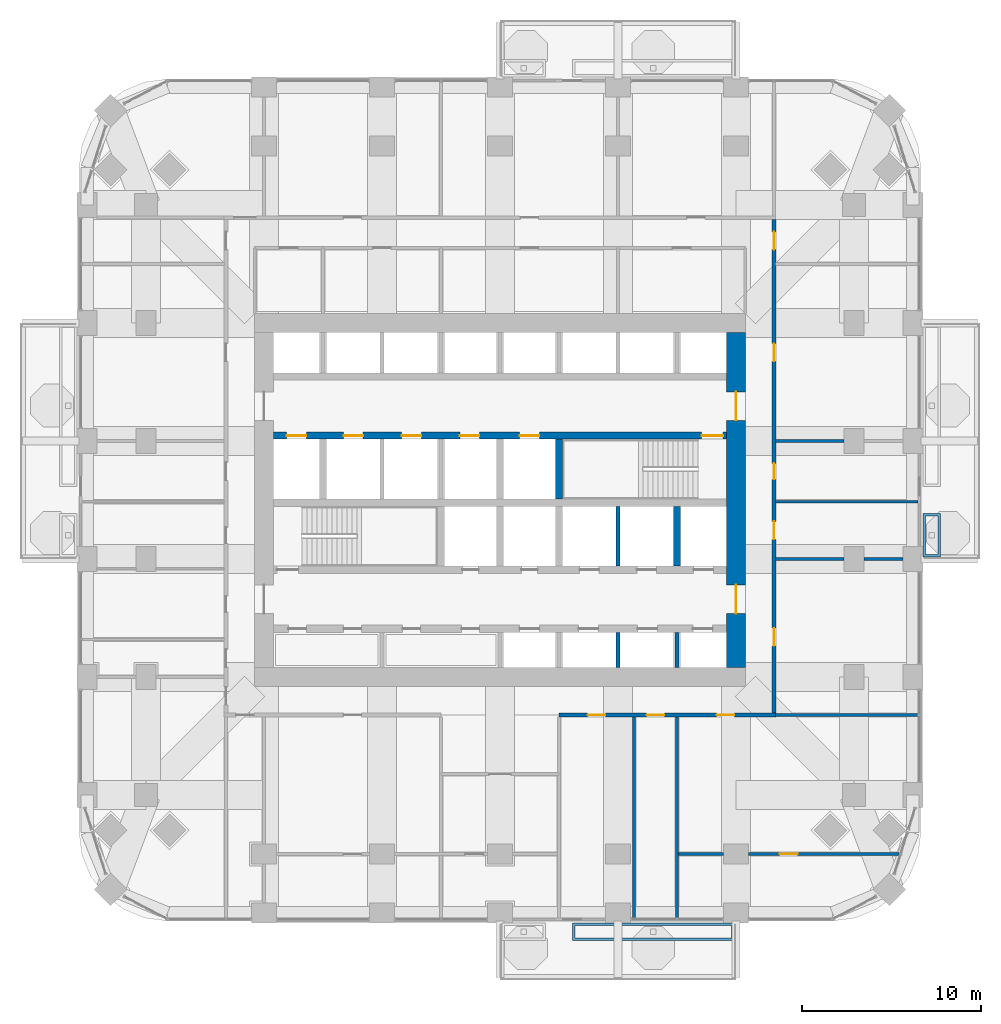
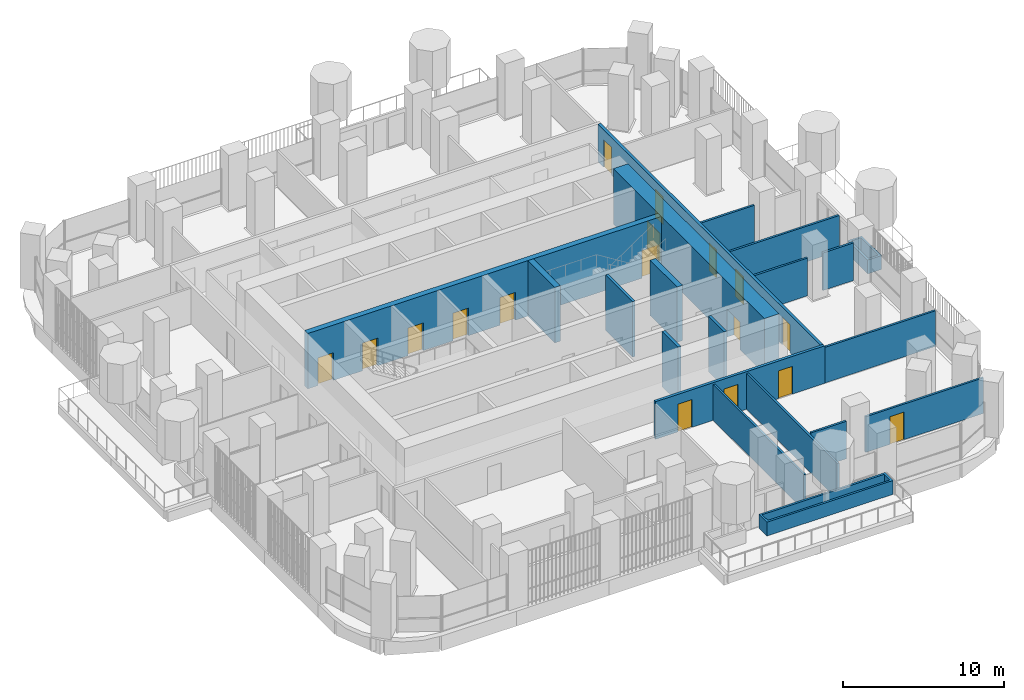
# One storey, part 16 of 23: 20 walls, 17 doors, 17 openings.
"""IFC4 building model written with IfcOpenShell, lengths in metres."""

from ifc_helpers import new_model, si_unit, direction, frame, frame_2d, origin, place, context, subcontext, project, spatial, polyline, rectangle, outline, extrude, material, layer, layer_set, type_object, element, fill, save


model = new_model("IFC4")

# Units and contexts
model_context = context("Model", 3, precision=1e-05, world=origin(), true_north=direction((0.0, 1.0)))
body_context = subcontext(model_context, "Body", "Model", "MODEL_VIEW")
ifc_project = project(units=[si_unit("LENGTHUNIT", "METRE"), si_unit("AREAUNIT", "SQUARE_METRE"), si_unit("VOLUMEUNIT", "CUBIC_METRE"), si_unit("PLANEANGLEUNIT", "RADIAN"), si_unit("MASSUNIT", "GRAM", prefix="KILO")], contexts=[model_context])

# Site, building, storey
site_placement = place(None, origin())
site = spatial("IfcSite", under=ifc_project, at=site_placement, CompositionType="ELEMENT")
building_placement = place(site_placement, origin())
building = spatial("IfcBuilding", under=site, at=building_placement, Name="Cobogo Forest Laboratory Tower", CompositionType="ELEMENT")
storey_placement = place(building_placement, frame((0.0, 0.0, 128.39990234375)))
storey = spatial("IfcBuildingStorey", under=building, at=storey_placement, Name="L29", CompositionType="ELEMENT", Elevation=128.39990234375)

# Wall, openings, doors
ifc_material_1 = material(Name="Concrete HA-50 (C50/60)", Category="concrete")
ifc_layer_1 = layer(ifc_material_1, 0.39990234375)
ifc_layer_set_1 = layer_set([ifc_layer_1], Name="CI400 core inner wall 400")
wall_type_1 = type_object("IfcWallType", Name="CI400 core inner wall 400", PredefinedType="SHEAR", material=ifc_layer_set_1)
wall_1_placement = place(storey_placement, frame((13.72509765625, 26.699951171875, 0.0), z_axis=(0.0, 0.0, 1.0), x_axis=(1.0, 0.0, 0.0)))
wall_1 = element("IfcWall", 1, at=wall_1_placement, inside=storey, type_object=wall_type_1, Name="Core wall CI-26.7 L29", PredefinedType="SHEAR", context=body_context, shape_type="SweptSolid", body=[
    extrude(rectangle(XDim=25.349853515625, YDim=0.39990234375, at=frame_2d((12.6748046875, 0.0))), origin(), (0.0, 0.0, 1.0), 4.2001953125),
])
opening_1_placement = place(wall_1_placement, frame((23.949951171875, 0.0, 0.0)))
opening_1 = element("IfcOpeningElement", 2, at=opening_1_placement, cuts=wall_1, Name="Opening L29-D30", PredefinedType="OPENING", context=body_context, shape_type="SweptSolid", body=[
    extrude(rectangle(XDim=1.199951171875, YDim=2.10009765625, at=frame_2d((0.60009765625, 1.050048828125))), frame((0.0, 0.2099609375, 0.0), z_axis=(0.0, -1.0, 0.0), x_axis=(1.0, 0.0, 0.0)), (0.0, 0.0, 1.0), 0.419921875),
])
opening_2_placement = place(wall_1_placement, frame((0.737548828125, 0.0, 0.0)))
opening_2 = element("IfcOpeningElement", 3, at=opening_2_placement, cuts=wall_1, Name="Opening L29-LD-FL1", PredefinedType="OPENING", context=body_context, shape_type="SweptSolid", body=[
    extrude(rectangle(XDim=1.10009765625, YDim=2.10009765625, at=frame_2d((0.550048828125, 1.050048828125))), frame((0.0, 0.2099609375, 0.0), z_axis=(0.0, -1.0, 0.0), x_axis=(1.0, 0.0, 0.0)), (0.0, 0.0, 1.0), 0.419921875),
])
opening_3_placement = place(wall_1_placement, frame((3.925048828125, 0.0, 0.0)))
opening_3 = element("IfcOpeningElement", 4, at=opening_3_placement, cuts=wall_1, Name="Opening L29-LD-LS3", PredefinedType="OPENING", context=body_context, shape_type="SweptSolid", body=[
    extrude(rectangle(XDim=1.10009765625, YDim=2.10009765625, at=frame_2d((0.550048828125, 1.050048828125))), frame((0.0, 0.2099609375, 0.0), z_axis=(0.0, -1.0, 0.0), x_axis=(1.0, 0.0, 0.0)), (0.0, 0.0, 1.0), 0.419921875),
])
opening_4_placement = place(wall_1_placement, frame((7.175048828125, 0.0, 0.0)))
opening_4 = element("IfcOpeningElement", 5, at=opening_4_placement, cuts=wall_1, Name="Opening L29-LD-LS4", PredefinedType="OPENING", context=body_context, shape_type="SweptSolid", body=[
    extrude(rectangle(XDim=1.10009765625, YDim=2.10009765625, at=frame_2d((0.550048828125, 1.050048828125))), frame((0.0, 0.2099609375, 0.0), z_axis=(0.0, -1.0, 0.0), x_axis=(1.0, 0.0, 0.0)), (0.0, 0.0, 1.0), 0.419921875),
])
opening_5_placement = place(wall_1_placement, frame((10.425048828125, 0.0, 0.0)))
opening_5 = element("IfcOpeningElement", 6, at=opening_5_placement, cuts=wall_1, Name="Opening L29-LD-LS5", PredefinedType="OPENING", context=body_context, shape_type="SweptSolid", body=[
    extrude(rectangle(XDim=1.10009765625, YDim=2.10009765625, at=frame_2d((0.550048828125, 1.050048828125))), frame((0.0, 0.2099609375, 0.0), z_axis=(0.0, -1.0, 0.0), x_axis=(1.0, 0.0, 0.0)), (0.0, 0.0, 1.0), 0.419921875),
])
opening_6_placement = place(wall_1_placement, frame((13.77490234375, 0.0, 0.0)))
opening_6 = element("IfcOpeningElement", 7, at=opening_6_placement, cuts=wall_1, Name="Opening L29-LD-LS6", PredefinedType="OPENING", context=body_context, shape_type="SweptSolid", body=[
    extrude(rectangle(XDim=1.10009765625, YDim=2.10009765625, at=frame_2d((0.550048828125, 1.050048828125))), frame((0.0, 0.2099609375, 0.0), z_axis=(0.0, -1.0, 0.0), x_axis=(1.0, 0.0, 0.0)), (0.0, 0.0, 1.0), 0.419921875),
])
ifc_material_2 = material(Name="Steel fire door", Category="steel")
door_type_1 = type_object("IfcDoorType", Name="DS1 protected stair door 1200 EI2 60", OperationType="SINGLE_SWING_LEFT", PredefinedType="DOOR", material=ifc_material_2)
door_1_placement = place(opening_1_placement, origin())
door_1 = element("IfcDoor", 8, at=door_1_placement, inside=storey, type_object=door_type_1, Name="Door L29-ST2", OperationType="SINGLE_SWING_RIGHT", OverallHeight=2.10009765625, OverallWidth=1.199951171875, PredefinedType="DOOR", context=body_context, shape_type="SweptSolid", body=[
    extrude(rectangle(XDim=1.199951171875, YDim=2.10009765625, at=frame_2d((0.60009765625, 1.050048828125))), frame((0.0, 0.02490234375, 0.0), z_axis=(0.0, -1.0, 0.0), x_axis=(1.0, 0.0, 0.0)), (0.0, 0.0, 1.0), 0.050048828125),
])
fill(opening_1, door_1)
ifc_material_3 = material(Name="Stainless steel lift door", Category="steel")
door_type_2 = type_object("IfcDoorType", Name="LD lift landing door 1100", OperationType="DOUBLE_DOOR_SLIDING", PredefinedType="DOOR", material=ifc_material_3)
door_2_placement = place(opening_2_placement, origin())
door_2 = element("IfcDoor", 9, at=door_2_placement, inside=storey, type_object=door_type_2, Name="Lift landing door FL1 L29", OperationType="DOUBLE_DOOR_SLIDING", OverallHeight=2.10009765625, OverallWidth=1.10009765625, PredefinedType="DOOR", context=body_context, shape_type="SweptSolid", body=[
    extrude(rectangle(XDim=1.10009765625, YDim=2.10009765625, at=frame_2d((0.550048828125, 1.050048828125))), frame((0.0, 0.02490234375, 0.0), z_axis=(0.0, -1.0, 0.0), x_axis=(1.0, 0.0, 0.0)), (0.0, 0.0, 1.0), 0.050048828125),
])
fill(opening_2, door_2)
door_3_placement = place(opening_3_placement, origin())
door_3 = element("IfcDoor", 10, at=door_3_placement, inside=storey, type_object=door_type_2, Name="Lift landing door LS3 L29", OperationType="DOUBLE_DOOR_SLIDING", OverallHeight=2.10009765625, OverallWidth=1.10009765625, PredefinedType="DOOR", context=body_context, shape_type="SweptSolid", body=[
    extrude(rectangle(XDim=1.10009765625, YDim=2.10009765625, at=frame_2d((0.550048828125, 1.050048828125))), frame((0.0, 0.02490234375, 0.0), z_axis=(0.0, -1.0, 0.0), x_axis=(1.0, 0.0, 0.0)), (0.0, 0.0, 1.0), 0.050048828125),
])
fill(opening_3, door_3)
door_4_placement = place(opening_4_placement, origin())
door_4 = element("IfcDoor", 11, at=door_4_placement, inside=storey, type_object=door_type_2, Name="Lift landing door LS4 L29", OperationType="DOUBLE_DOOR_SLIDING", OverallHeight=2.10009765625, OverallWidth=1.10009765625, PredefinedType="DOOR", context=body_context, shape_type="SweptSolid", body=[
    extrude(rectangle(XDim=1.10009765625, YDim=2.10009765625, at=frame_2d((0.550048828125, 1.050048828125))), frame((0.0, 0.02490234375, 0.0), z_axis=(0.0, -1.0, 0.0), x_axis=(1.0, 0.0, 0.0)), (0.0, 0.0, 1.0), 0.050048828125),
])
fill(opening_4, door_4)
door_5_placement = place(opening_5_placement, origin())
door_5 = element("IfcDoor", 12, at=door_5_placement, inside=storey, type_object=door_type_2, Name="Lift landing door LS5 L29", OperationType="DOUBLE_DOOR_SLIDING", OverallHeight=2.10009765625, OverallWidth=1.10009765625, PredefinedType="DOOR", context=body_context, shape_type="SweptSolid", body=[
    extrude(rectangle(XDim=1.10009765625, YDim=2.10009765625, at=frame_2d((0.550048828125, 1.050048828125))), frame((0.0, 0.02490234375, 0.0), z_axis=(0.0, -1.0, 0.0), x_axis=(1.0, 0.0, 0.0)), (0.0, 0.0, 1.0), 0.050048828125),
])
fill(opening_5, door_5)
door_6_placement = place(opening_6_placement, origin())
door_6 = element("IfcDoor", 13, at=door_6_placement, inside=storey, type_object=door_type_2, Name="Lift landing door LS6 L29", OperationType="DOUBLE_DOOR_SLIDING", OverallHeight=2.10009765625, OverallWidth=1.10009765625, PredefinedType="DOOR", context=body_context, shape_type="SweptSolid", body=[
    extrude(rectangle(XDim=1.10009765625, YDim=2.10009765625, at=frame_2d((0.550048828125, 1.050048828125))), frame((0.0, 0.02490234375, 0.0), z_axis=(0.0, -1.0, 0.0), x_axis=(1.0, 0.0, 0.0)), (0.0, 0.0, 1.0), 0.050048828125),
])
fill(opening_6, door_6)

# Walls
for number, where, z_axis, x_axis, name in (
    (14, (36.300048828125, 19.39990234375, 0.0), (0.0, 0.0, 1.0), (0.0, 1.0, 0.0), "Core wall CX-36.3 L29"),
    (15, (29.699951171875, 23.14990234375, 0.0), (0.0, 0.0, 1.0), (0.0, 1.0, 0.0), "Core wall CX-29.7N L29"),
):
    element("IfcWall", number, at=place(storey_placement, frame(where, z_axis=z_axis, x_axis=x_axis)), inside=storey, type_object=wall_type_1, Name=name, PredefinedType="SHEAR", context=body_context, shape_type="SweptSolid", body=[
        extrude(rectangle(XDim=3.35009765625, YDim=0.39990234375, at=frame_2d((1.675048828125, 0.0))), origin(), (0.0, 0.0, 1.0), 4.2001953125),
    ])

# Wall, openings, doors
ifc_layer_2 = layer(ifc_material_1, 1.050048828125)
ifc_layer_set_2 = layer_set([ifc_layer_2], Name="CW1050 core outer wall 1050")
wall_type_2 = type_object("IfcWallType", Name="CW1050 core outer wall 1050", PredefinedType="SHEAR", material=ifc_layer_set_2)
wall_2_placement = place(storey_placement, frame((39.60009765625, 13.72509765625, 0.0), z_axis=(0.0, 0.0, 1.0), x_axis=(0.0, 1.0, 0.0)))
wall_2 = element("IfcWall", 16, at=wall_2_placement, inside=storey, type_object=wall_type_2, Name="Core wall CO-E L29", PredefinedType="SHEAR", context=body_context, shape_type="SweptSolid", body=[
    extrude(rectangle(XDim=18.75, YDim=1.050048828125, at=frame_2d((9.375, 0.0))), origin(), (0.0, 0.0, 1.0), 4.2001953125),
])
opening_7_placement = place(wall_2_placement, frame((3.02490234375, 0.0, 0.0)))
opening_7 = element("IfcOpeningElement", 17, at=opening_7_placement, cuts=wall_2, Name="Opening L29-D20", PredefinedType="OPENING", context=body_context, shape_type="SweptSolid", body=[
    extrude(rectangle(XDim=1.60009765625, YDim=2.10009765625, at=frame_2d((0.800048828125, 1.050048828125))), frame((0.0, 0.534912109375, 0.0), z_axis=(0.0, -1.0, 0.0), x_axis=(1.0, 0.0, 0.0)), (0.0, 0.0, 1.0), 1.070068359375),
])
opening_8_placement = place(wall_2_placement, frame((13.824951171875, 0.0, 0.0)))
opening_8 = element("IfcOpeningElement", 18, at=opening_8_placement, cuts=wall_2, Name="Opening L29-D32", PredefinedType="OPENING", context=body_context, shape_type="SweptSolid", body=[
    extrude(rectangle(XDim=1.60009765625, YDim=2.10009765625, at=frame_2d((0.800048828125, 1.050048828125))), frame((0.0, 0.534912109375, 0.0), z_axis=(0.0, -1.0, 0.0), x_axis=(1.0, 0.0, 0.0)), (0.0, 0.0, 1.0), 1.070068359375),
])
door_type_3 = type_object("IfcDoorType", Name="DS2 protected lobby door pair 1600 EI2 60", OperationType="DOUBLE_DOOR_DOUBLE_SWING", PredefinedType="DOOR", material=ifc_material_2)
door_7_placement = place(opening_7_placement, origin())
door_7 = element("IfcDoor", 19, at=door_7_placement, inside=storey, type_object=door_type_3, Name="Door L29-CO-E-S", OperationType="DOUBLE_DOOR_DOUBLE_SWING", OverallHeight=2.10009765625, OverallWidth=1.60009765625, PredefinedType="DOOR", context=body_context, shape_type="SweptSolid", body=[
    extrude(rectangle(XDim=1.60009765625, YDim=2.10009765625, at=frame_2d((0.800048828125, 1.050048828125))), frame((0.0, 0.02490234375, 0.0), z_axis=(0.0, -1.0, 0.0), x_axis=(1.0, 0.0, 0.0)), (0.0, 0.0, 1.0), 0.050048828125),
])
fill(opening_7, door_7)
door_8_placement = place(opening_8_placement, origin())
door_8 = element("IfcDoor", 20, at=door_8_placement, inside=storey, type_object=door_type_3, Name="Door L29-CO-E-N", OperationType="DOUBLE_DOOR_DOUBLE_SWING", OverallHeight=2.10009765625, OverallWidth=1.60009765625, PredefinedType="DOOR", context=body_context, shape_type="SweptSolid", body=[
    extrude(rectangle(XDim=1.60009765625, YDim=2.10009765625, at=frame_2d((0.800048828125, 1.050048828125))), frame((0.0, 0.02490234375, 0.0), z_axis=(0.0, -1.0, 0.0), x_axis=(1.0, 0.0, 0.0)), (0.0, 0.0, 1.0), 0.050048828125),
])
fill(opening_8, door_8)

# Walls
ifc_material_4 = material(Name="Gypsum board on steel studs", Category="steel")
ifc_layer_3 = layer(ifc_material_4, 0.14990234375)
ifc_layer_set_3 = layer_set([ifc_layer_3], Name="PT1 laboratory partition 150")
wall_type_3 = type_object("IfcWallType", Name="PT1 laboratory partition 150", PredefinedType="PARTITIONING", material=ifc_layer_set_3)
wall_3_placement = place(storey_placement, frame((49.77001953125, 11.074951171875, 0.0), z_axis=(0.0, 0.0, 1.0), x_axis=(-1.0, 0.0, 0.0)))
element("IfcWall", 21, at=wall_3_placement, inside=storey, type_object=wall_type_3, Name="Partition PW-SE L29", PredefinedType="PARTITIONING", context=body_context, shape_type="SweptSolid", body=[
    extrude(rectangle(XDim=7.945068359375, YDim=0.14990234375, at=frame_2d((3.97265625, 0.0))), origin(), (0.0, 0.0, 1.0), 2.7001953125),
])
wall_4_placement = place(storey_placement, frame((36.375, 3.300048828125, 0.0), z_axis=(0.0, 0.0, 1.0), x_axis=(1.0, 0.0, 0.0)))
element("IfcWall", 22, at=wall_4_placement, inside=storey, type_object=wall_type_3, Name="Partition STRIP-S-4 L29", PredefinedType="PARTITIONING", context=body_context, shape_type="SweptSolid", body=[
    extrude(rectangle(XDim=2.52490234375, YDim=0.14990234375, at=frame_2d((1.262451171875, 0.0))), origin(), (0.0, 0.0, 1.0), 2.85009765625),
])

# Wall, opening, door
wall_5_placement = place(storey_placement, frame((40.300048828125, 3.300048828125, 0.0), z_axis=(0.0, 0.0, 1.0), x_axis=(1.0, 0.0, 0.0)))
wall_5 = element("IfcWall", 23, at=wall_5_placement, inside=storey, type_object=wall_type_3, Name="Partition STRIP-S-5 L29", PredefinedType="PARTITIONING", context=body_context, shape_type="SweptSolid", body=[
    extrude(rectangle(XDim=8.423828125, YDim=0.14990234375, at=frame_2d((4.2119140625, 0.0))), origin(), (0.0, 0.0, 1.0), 2.7001953125),
])
opening_9_placement = place(wall_5_placement, frame((1.7421875, 0.0, 0.0)))
opening_9 = element("IfcOpeningElement", 24, at=opening_9_placement, cuts=wall_5, Name="Opening L29-D04", PredefinedType="OPENING", context=body_context, shape_type="SweptSolid", body=[
    extrude(rectangle(XDim=1.0, YDim=2.10009765625, at=frame_2d((0.5, 1.050048828125))), frame((0.0, 0.0849609375, 0.0), z_axis=(0.0, -1.0, 0.0), x_axis=(1.0, 0.0, 0.0)), (0.0, 0.0, 1.0), 0.169921875),
])
ifc_material_5 = material(Name="Timber fire door", Category="wood")
door_type_4 = type_object("IfcDoorType", Name="FD2 fire door 1000 EI2 30", OperationType="SINGLE_SWING_LEFT", PredefinedType="DOOR", material=ifc_material_5)
door_9_placement = place(opening_9_placement, origin())
door_9 = element("IfcDoor", 25, at=door_9_placement, inside=storey, type_object=door_type_4, Name="Door L29-S4W", OperationType="SINGLE_SWING_LEFT", OverallHeight=2.10009765625, OverallWidth=1.0, PredefinedType="DOOR", context=body_context, shape_type="SweptSolid", body=[
    extrude(rectangle(XDim=1.0, YDim=2.10009765625, at=frame_2d((0.5, 1.050048828125))), frame((0.0, 0.02490234375, 0.0), z_axis=(0.0, -1.0, 0.0), x_axis=(1.0, 0.0, 0.0)), (0.0, 0.0, 1.0), 0.050048828125),
])
fill(opening_9, door_9)

# Walls
for number, where, z_axis, x_axis, name in (
    (26, (33.89990234375, -0.27001953125, 0.0), (0.0, 0.0, 1.0), (0.0, 1.0, 0.0), "Partition SVC-S1-1 L29"),
    (27, (36.300048828125, -0.27001953125, 0.0), (0.0, 0.0, 1.0), (0.0, 1.0, 0.0), "Partition SVC-S2-1 L29"),
):
    element("IfcWall", number, at=place(storey_placement, frame(where, z_axis=z_axis, x_axis=x_axis)), inside=storey, type_object=wall_type_3, Name=name, PredefinedType="PARTITIONING", context=body_context, shape_type="SweptSolid", body=[
        extrude(rectangle(XDim=11.2451171875, YDim=0.14990234375, at=frame_2d((5.62255859375, 0.0))), origin(), (0.0, 0.0, 1.0), 2.7001953125),
    ])
wall_6_placement = place(storey_placement, frame((49.77001953125, 23.0, 0.0), z_axis=(0.0, 0.0, 1.0), x_axis=(-1.0, 0.0, 0.0)))
element("IfcWall", 28, at=wall_6_placement, inside=storey, type_object=wall_type_3, Name="Partition SVC-E1-1 L29", PredefinedType="PARTITIONING", context=body_context, shape_type="SweptSolid", body=[
    extrude(rectangle(XDim=7.945068359375, YDim=0.14990234375, at=frame_2d((3.97265625, 0.0))), origin(), (0.0, 0.0, 1.0), 2.7001953125),
])
wall_7_placement = place(storey_placement, frame((48.949951171875, 19.800048828125, 0.0), z_axis=(0.0, 0.0, 1.0), x_axis=(-1.0, 0.0, 0.0)))
element("IfcWall", 29, at=wall_7_placement, inside=storey, type_object=wall_type_3, Name="Partition CUT-E19.8-1 L29", PredefinedType="PARTITIONING", context=body_context, shape_type="SweptSolid", body=[
    extrude(rectangle(XDim=2.199951171875, YDim=0.14990234375, at=frame_2d((1.10009765625, 0.0))), origin(), (0.0, 0.0, 1.0), 2.85009765625),
])
for number, where, z_axis, x_axis, name in (
    (30, (45.64990234375, 19.800048828125, 0.0), (0.0, 0.0, 1.0), (-1.0, 0.0, 0.0), "Partition CUT-E19.8-2 L29"),
    (31, (45.64990234375, 26.39990234375, 0.0), (0.0, 0.0, 1.0), (-1.0, 0.0, 0.0), "Partition CUT-E26.4-2 L29"),
):
    element("IfcWall", number, at=place(storey_placement, frame(where, z_axis=z_axis, x_axis=x_axis)), inside=storey, type_object=wall_type_3, Name=name, PredefinedType="PARTITIONING", context=body_context, shape_type="SweptSolid", body=[
        extrude(rectangle(XDim=3.824951171875, YDim=0.14990234375, at=frame_2d((1.91259765625, 0.0))), origin(), (0.0, 0.0, 1.0), 2.85009765625),
    ])

# Wall, openings, doors
ifc_layer_4 = layer(ifc_material_4, 0.199951171875)
ifc_layer_set_4 = layer_set([ifc_layer_4], Name="PT2 fire-rated corridor partition 200")
wall_type_4 = type_object("IfcWallType", Name="PT2 fire-rated corridor partition 200", PredefinedType="PARTITIONING", material=ifc_layer_set_4)
wall_8_placement = place(storey_placement, frame((29.699951171875, 11.074951171875, 0.0), z_axis=(0.0, 0.0, 1.0), x_axis=(1.0, 0.0, 0.0)))
wall_8 = element("IfcWall", 32, at=wall_8_placement, inside=storey, type_object=wall_type_4, Name="Partition CORR-S-2 L29", PredefinedType="PARTITIONING", context=body_context, shape_type="SweptSolid", body=[
    extrude(rectangle(XDim=12.125, YDim=0.199951171875, at=frame_2d((6.0625, 0.0))), origin(), (0.0, 0.0, 1.0), 2.85009765625),
])
opening_10_placement = place(wall_8_placement, frame((1.60009765625, 0.0, 0.0)))
opening_10 = element("IfcOpeningElement", 33, at=opening_10_placement, cuts=wall_8, Name="Opening L29-D08", PredefinedType="OPENING", context=body_context, shape_type="SweptSolid", body=[
    extrude(rectangle(XDim=1.0, YDim=2.10009765625, at=frame_2d((0.5, 1.050048828125))), frame((0.0, 0.10986328125, 0.0), z_axis=(0.0, -1.0, 0.0), x_axis=(1.0, 0.0, 0.0)), (0.0, 0.0, 1.0), 0.219970703125),
])
opening_11_placement = place(wall_8_placement, frame((4.89990234375, 0.0, 0.0)))
opening_11 = element("IfcOpeningElement", 34, at=opening_11_placement, cuts=wall_8, Name="Opening L29-D09", PredefinedType="OPENING", context=body_context, shape_type="SweptSolid", body=[
    extrude(rectangle(XDim=1.0, YDim=2.10009765625, at=frame_2d((0.5, 1.050048828125))), frame((0.0, 0.10986328125, 0.0), z_axis=(0.0, -1.0, 0.0), x_axis=(1.0, 0.0, 0.0)), (0.0, 0.0, 1.0), 0.219970703125),
])
opening_12_placement = place(wall_8_placement, frame((8.8125, 0.0, 0.0)))
opening_12 = element("IfcOpeningElement", 35, at=opening_12_placement, cuts=wall_8, Name="Opening L29-D10", PredefinedType="OPENING", context=body_context, shape_type="SweptSolid", body=[
    extrude(rectangle(XDim=1.0, YDim=2.10009765625, at=frame_2d((0.5, 1.050048828125))), frame((0.0, 0.10986328125, 0.0), z_axis=(0.0, -1.0, 0.0), x_axis=(1.0, 0.0, 0.0)), (0.0, 0.0, 1.0), 0.219970703125),
])
door_10_placement = place(opening_10_placement, origin())
door_10 = element("IfcDoor", 36, at=door_10_placement, inside=storey, type_object=door_type_4, Name="Door L29-MTG", OperationType="SINGLE_SWING_LEFT", OverallHeight=2.10009765625, OverallWidth=1.0, PredefinedType="DOOR", context=body_context, shape_type="SweptSolid", body=[
    extrude(rectangle(XDim=1.0, YDim=2.10009765625, at=frame_2d((0.5, 1.050048828125))), frame((0.0, 0.02490234375, 0.0), z_axis=(0.0, -1.0, 0.0), x_axis=(1.0, 0.0, 0.0)), (0.0, 0.0, 1.0), 0.050048828125),
])
fill(opening_10, door_10)
door_11_placement = place(opening_11_placement, origin())
door_11 = element("IfcDoor", 37, at=door_11_placement, inside=storey, type_object=door_type_4, Name="Door L29-PAN", OperationType="SINGLE_SWING_LEFT", OverallHeight=2.10009765625, OverallWidth=1.0, PredefinedType="DOOR", context=body_context, shape_type="SweptSolid", body=[
    extrude(rectangle(XDim=1.0, YDim=2.10009765625, at=frame_2d((0.5, 1.050048828125))), frame((0.0, 0.02490234375, 0.0), z_axis=(0.0, -1.0, 0.0), x_axis=(1.0, 0.0, 0.0)), (0.0, 0.0, 1.0), 0.050048828125),
])
fill(opening_11, door_11)
door_12_placement = place(opening_12_placement, origin())
door_12 = element("IfcDoor", 38, at=door_12_placement, inside=storey, type_object=door_type_4, Name="Door L29-S4", OperationType="SINGLE_SWING_RIGHT", OverallHeight=2.10009765625, OverallWidth=1.0, PredefinedType="DOOR", context=body_context, shape_type="SweptSolid", body=[
    extrude(rectangle(XDim=1.0, YDim=2.10009765625, at=frame_2d((0.5, 1.050048828125))), frame((0.0, 0.02490234375, 0.0), z_axis=(0.0, -1.0, 0.0), x_axis=(1.0, 0.0, 0.0)), (0.0, 0.0, 1.0), 0.050048828125),
])
fill(opening_12, door_12)

wall_9_placement = place(storey_placement, frame((41.72509765625, 11.175048828125, 0.0), z_axis=(0.0, 0.0, 1.0), x_axis=(0.0, 1.0, 0.0)))
wall_9 = element("IfcWall", 39, at=wall_9_placement, inside=storey, type_object=wall_type_4, Name="Partition CORR-E L29", PredefinedType="PARTITIONING", context=body_context, shape_type="SweptSolid", body=[
    extrude(rectangle(XDim=27.625, YDim=0.199951171875, at=frame_2d((13.8125, 0.0))), origin(), (0.0, 0.0, 1.0), 2.85009765625),
])
opening_13_placement = place(wall_9_placement, frame((3.762451171875, 0.0, 0.0)))
opening_13 = element("IfcOpeningElement", 40, at=opening_13_placement, cuts=wall_9, Name="Opening L29-D13", PredefinedType="OPENING", context=body_context, shape_type="SweptSolid", body=[
    extrude(rectangle(XDim=1.0, YDim=2.10009765625, at=frame_2d((0.5, 1.050048828125))), frame((0.0, 0.10986328125, 0.0), z_axis=(0.0, -1.0, 0.0), x_axis=(1.0, 0.0, 0.0)), (0.0, 0.0, 1.0), 0.219970703125),
])
opening_14_placement = place(wall_9_placement, frame((9.72509765625, 0.0, 0.0)))
opening_14 = element("IfcOpeningElement", 41, at=opening_14_placement, cuts=wall_9, Name="Opening L29-D25", PredefinedType="OPENING", context=body_context, shape_type="SweptSolid", body=[
    extrude(rectangle(XDim=1.0, YDim=2.10009765625, at=frame_2d((0.5, 1.050048828125))), frame((0.0, 0.10986328125, 0.0), z_axis=(0.0, -1.0, 0.0), x_axis=(1.0, 0.0, 0.0)), (0.0, 0.0, 1.0), 0.219970703125),
])
opening_15_placement = place(wall_9_placement, frame((13.074951171875, 0.0, 0.0)))
opening_15 = element("IfcOpeningElement", 42, at=opening_15_placement, cuts=wall_9, Name="Opening L29-D29", PredefinedType="OPENING", context=body_context, shape_type="SweptSolid", body=[
    extrude(rectangle(XDim=0.89990234375, YDim=2.10009765625, at=frame_2d((0.449951171875, 1.050048828125))), frame((0.0, 0.10986328125, 0.0), z_axis=(0.0, -1.0, 0.0), x_axis=(1.0, 0.0, 0.0)), (0.0, 0.0, 1.0), 0.219970703125),
])
opening_16_placement = place(wall_9_placement, frame((19.675048828125, 0.0, 0.0)))
opening_16 = element("IfcOpeningElement", 43, at=opening_16_placement, cuts=wall_9, Name="Opening L29-D34", PredefinedType="OPENING", context=body_context, shape_type="SweptSolid", body=[
    extrude(rectangle(XDim=1.0, YDim=2.10009765625, at=frame_2d((0.5, 1.050048828125))), frame((0.0, 0.10986328125, 0.0), z_axis=(0.0, -1.0, 0.0), x_axis=(1.0, 0.0, 0.0)), (0.0, 0.0, 1.0), 0.219970703125),
])
opening_17_placement = place(wall_9_placement, frame((25.925048828125, 0.0, 0.0)))
opening_17 = element("IfcOpeningElement", 44, at=opening_17_placement, cuts=wall_9, Name="Opening L29-D40", PredefinedType="OPENING", context=body_context, shape_type="SweptSolid", body=[
    extrude(rectangle(XDim=1.0, YDim=2.10009765625, at=frame_2d((0.5, 1.050048828125))), frame((0.0, 0.10986328125, 0.0), z_axis=(0.0, -1.0, 0.0), x_axis=(1.0, 0.0, 0.0)), (0.0, 0.0, 1.0), 0.219970703125),
])
door_type_5 = type_object("IfcDoorType", Name="FD1 fire door 1000 EI2 60", OperationType="SINGLE_SWING_LEFT", PredefinedType="DOOR", material=ifc_material_2)
door_13_placement = place(opening_14_placement, origin())
door_13 = element("IfcDoor", 45, at=door_13_placement, inside=storey, type_object=door_type_5, Name="Door L29-ELEC", OperationType="SINGLE_SWING_LEFT", OverallHeight=2.10009765625, OverallWidth=1.0, PredefinedType="DOOR", context=body_context, shape_type="SweptSolid", body=[
    extrude(rectangle(XDim=1.0, YDim=2.10009765625, at=frame_2d((0.5, 1.050048828125))), frame((0.0, 0.02490234375, 0.0), z_axis=(0.0, -1.0, 0.0), x_axis=(1.0, 0.0, 0.0)), (0.0, 0.0, 1.0), 0.050048828125),
])
fill(opening_14, door_13)
door_14_placement = place(opening_13_placement, origin())
door_14 = element("IfcDoor", 46, at=door_14_placement, inside=storey, type_object=door_type_4, Name="Door L29-E1", OperationType="SINGLE_SWING_LEFT", OverallHeight=2.10009765625, OverallWidth=1.0, PredefinedType="DOOR", context=body_context, shape_type="SweptSolid", body=[
    extrude(rectangle(XDim=1.0, YDim=2.10009765625, at=frame_2d((0.5, 1.050048828125))), frame((0.0, 0.02490234375, 0.0), z_axis=(0.0, -1.0, 0.0), x_axis=(1.0, 0.0, 0.0)), (0.0, 0.0, 1.0), 0.050048828125),
])
fill(opening_13, door_14)
door_15_placement = place(opening_16_placement, origin())
door_15 = element("IfcDoor", 47, at=door_15_placement, inside=storey, type_object=door_type_4, Name="Door L29-E3", OperationType="SINGLE_SWING_RIGHT", OverallHeight=2.10009765625, OverallWidth=1.0, PredefinedType="DOOR", context=body_context, shape_type="SweptSolid", body=[
    extrude(rectangle(XDim=1.0, YDim=2.10009765625, at=frame_2d((0.5, 1.050048828125))), frame((0.0, 0.02490234375, 0.0), z_axis=(0.0, -1.0, 0.0), x_axis=(1.0, 0.0, 0.0)), (0.0, 0.0, 1.0), 0.050048828125),
])
fill(opening_16, door_15)
door_16_placement = place(opening_17_placement, origin())
door_16 = element("IfcDoor", 48, at=door_16_placement, inside=storey, type_object=door_type_4, Name="Door L29-E4", OperationType="SINGLE_SWING_RIGHT", OverallHeight=2.10009765625, OverallWidth=1.0, PredefinedType="DOOR", context=body_context, shape_type="SweptSolid", body=[
    extrude(rectangle(XDim=1.0, YDim=2.10009765625, at=frame_2d((0.5, 1.050048828125))), frame((0.0, 0.02490234375, 0.0), z_axis=(0.0, -1.0, 0.0), x_axis=(1.0, 0.0, 0.0)), (0.0, 0.0, 1.0), 0.050048828125),
])
fill(opening_17, door_16)
door_type_6 = type_object("IfcDoorType", Name="FD4 riser access door 900 EI2 60", OperationType="SINGLE_SWING_LEFT", PredefinedType="DOOR", material=ifc_material_2)
door_17_placement = place(opening_15_placement, origin())
door_17 = element("IfcDoor", 49, at=door_17_placement, inside=storey, type_object=door_type_6, Name="Door L29-COMMS", OperationType="SINGLE_SWING_LEFT", OverallHeight=2.10009765625, OverallWidth=0.89990234375, PredefinedType="DOOR", context=body_context, shape_type="SweptSolid", body=[
    extrude(rectangle(XDim=0.89990234375, YDim=2.10009765625, at=frame_2d((0.449951171875, 1.050048828125))), frame((0.0, 0.02490234375, 0.0), z_axis=(0.0, -1.0, 0.0), x_axis=(1.0, 0.0, 0.0)), (0.0, 0.0, 1.0), 0.050048828125),
])
fill(opening_15, door_17)

# Walls
ifc_material_6 = material(Name="Concrete HA-40 (C40/50)", Category="concrete")
ifc_layer_5 = layer(ifc_material_6, 0.14990234375)
ifc_layer_set_5 = layer_set([ifc_layer_5], Name="Planter box 1000x1050")
wall_type_5 = type_object("IfcWallType", Name="Planter box 1000x1050", PredefinedType="USERDEFINED", material=ifc_layer_set_5)
wall_10_placement = place(storey_placement, origin())
element("IfcWall", 50, at=wall_10_placement, inside=storey, type_object=wall_type_5, Name="Planter BAL-S1-2 L29", ObjectType="PLANTER", PredefinedType="USERDEFINED", context=body_context, shape_type="SweptSolid", body=[
    extrude(outline(polyline([(30.449951171875, -1.550048828125), (39.5, -1.550048828125), (39.5, -0.550048828125), (30.449951171875, -0.550048828125), (30.449951171875, -1.550048828125)]), holes=[polyline([(30.60009765625, -1.39990234375), (39.35009765625, -1.39990234375), (39.35009765625, -0.699951171875), (30.60009765625, -0.699951171875), (30.60009765625, -1.39990234375)])]), origin(), (0.0, 0.0, 1.0), 1.050048828125),
])
wall_11_placement = place(storey_placement, origin())
element("IfcWall", 51, at=wall_11_placement, inside=storey, type_object=wall_type_5, Name="Planter BAL-E1-1 L29", ObjectType="PLANTER", PredefinedType="USERDEFINED", context=body_context, shape_type="SweptSolid", body=[
    extrude(outline(polyline([(50.050048828125, 19.89990234375), (51.050048828125, 19.89990234375), (51.050048828125, 22.35009765625), (50.050048828125, 22.35009765625), (50.050048828125, 19.89990234375)]), holes=[polyline([(50.199951171875, 20.050048828125), (50.89990234375, 20.050048828125), (50.89990234375, 22.199951171875), (50.199951171875, 22.199951171875), (50.199951171875, 20.050048828125)])]), origin(), (0.0, 0.0, 1.0), 1.050048828125),
])
ifc_material_7 = material(Name="Concrete block", Category="concrete")
ifc_layer_6 = layer(ifc_material_7, 0.199951171875)
ifc_layer_set_6 = layer_set([ifc_layer_6], Name="SW200 lift shaft separator 200")
wall_type_6 = type_object("IfcWallType", Name="SW200 lift shaft separator 200", PredefinedType="PARTITIONING", material=ifc_layer_set_6)
for number, where, z_axis, x_axis, name in (
    (52, (33.0, 13.72509765625, 0.0), (0.0, 0.0, 1.0), (0.0, 1.0, 0.0), "Core wall SEP-S6 L29"),
    (53, (36.300048828125, 13.72509765625, 0.0), (0.0, 0.0, 1.0), (0.0, 1.0, 0.0), "Core wall SEP-S7 L29"),
):
    element("IfcWall", number, at=place(storey_placement, frame(where, z_axis=z_axis, x_axis=x_axis)), inside=storey, type_object=wall_type_6, Name=name, PredefinedType="PARTITIONING", context=body_context, shape_type="SweptSolid", body=[
        extrude(rectangle(XDim=1.974853515625, YDim=0.199951171875, at=frame_2d((0.9873046875, 0.0))), origin(), (0.0, 0.0, 1.0), 4.2001953125),
    ])
wall_12_placement = place(storey_placement, frame((33.0, 19.39990234375, 0.0), z_axis=(0.0, 0.0, 1.0), x_axis=(0.0, 1.0, 0.0)))
element("IfcWall", 54, at=wall_12_placement, inside=storey, type_object=wall_type_6, Name="Core wall SEP-M33.0 L29", PredefinedType="PARTITIONING", context=body_context, shape_type="SweptSolid", body=[
    extrude(rectangle(XDim=3.35009765625, YDim=0.199951171875, at=frame_2d((1.675048828125, 0.0))), origin(), (0.0, 0.0, 1.0), 4.2001953125),
])

save(model, "model.ifc")
